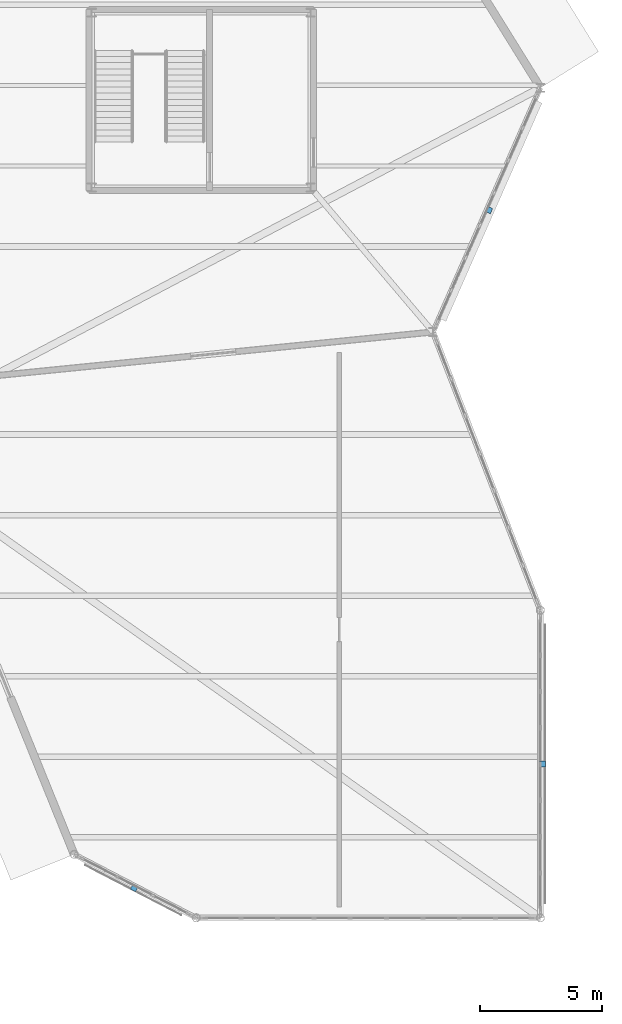
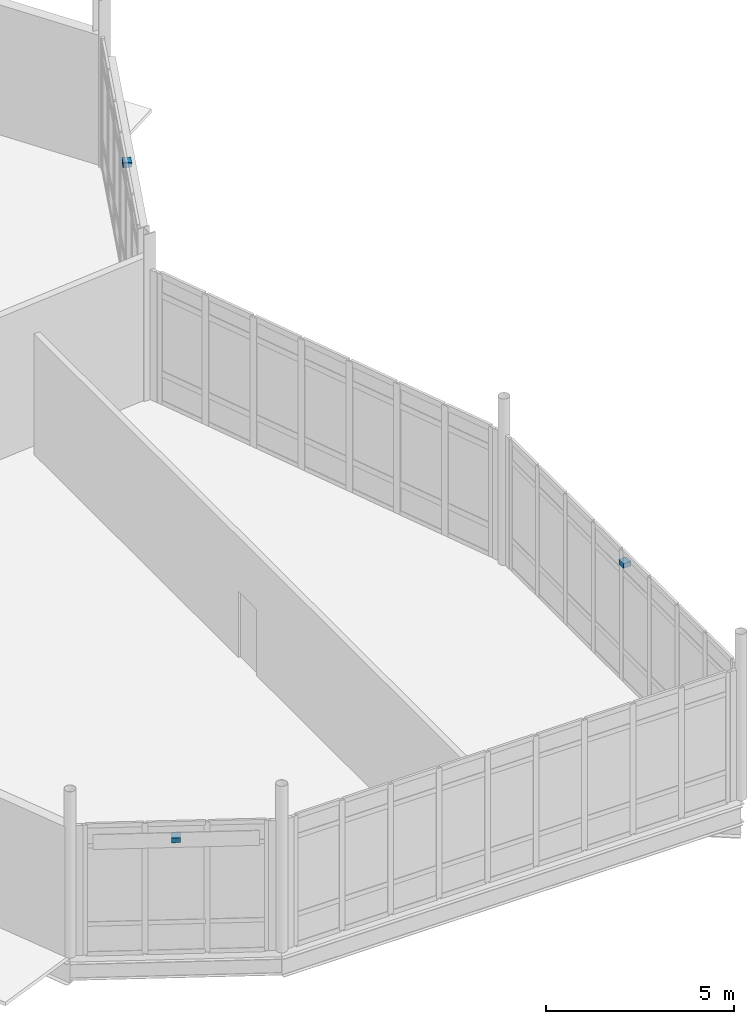
# One storey, part 107 of 113: 3 discrete accessories.
"""IFC4 building model written with IfcOpenShell, lengths in metres."""

from ifc_helpers import new_model, si_unit, direction, frame, origin, origin_2d, place, context, subcontext, project, spatial, rectangle, extrude, material, type_object, element, save


model = new_model("IFC4")

# Units and contexts
model_context = context("Model", 3, precision=1e-05, world=origin(), true_north=direction((0.0, 1.0)))
body_context = subcontext(model_context, "Body", "Model", "MODEL_VIEW")
ifc_project = project(units=[si_unit("LENGTHUNIT", "METRE"), si_unit("AREAUNIT", "SQUARE_METRE"), si_unit("VOLUMEUNIT", "CUBIC_METRE"), si_unit("PLANEANGLEUNIT", "RADIAN"), si_unit("MASSUNIT", "GRAM", prefix="KILO")], contexts=[model_context])

# Site, building, storey
site_placement = place(None, origin())
site = spatial("IfcSite", under=ifc_project, at=site_placement, CompositionType="ELEMENT")
building_placement = place(site_placement, origin())
building = spatial("IfcBuilding", under=site, at=building_placement, Name="Tameran Prism Museum", CompositionType="ELEMENT")
storey_placement = place(building_placement, origin())
storey = spatial("IfcBuildingStorey", under=building, at=storey_placement, Name="L00", CompositionType="ELEMENT", Elevation=0.0)

# Discrete accessories
ifc_material = material(Name="Galvanized Steel Grade 350 (350 MPa)", Category="steel")
discrete_accessory_type = type_object("IfcDiscreteAccessoryType", Name="DA-BRK-STL", PredefinedType="BRACKET", material=ifc_material)
for number, where, z_axis, x_axis, name in (
    (1, (149.762939453125, 1.22900390625, 3.68994140625), (0.0, 0.0, 1.0), (-0.887252482586, 0.461284112175, 0.0), "Facade Sunshade Bracket BK-010"),
    (2, (166.47998046875, 6.300048828125, 3.68994140625), (0.0, 0.0, 1.0), (0.0, -1.0, 0.0), "Facade Sunshade Bracket BK-011"),
    (3, (164.284912109375, 28.9951171875, 3.68994140625), (0.0, 0.0, 1.0), (-0.402746689859, -0.915311479119, 0.0), "Facade Sunshade Bracket BK-017"),
):
    element("IfcDiscreteAccessory", number, at=place(storey_placement, frame(where, z_axis=z_axis, x_axis=x_axis)), inside=storey, type_object=discrete_accessory_type, Name=name, PredefinedType="BRACKET", context=body_context, shape_type="SweptSolid", body=[
        extrude(rectangle(XDim=0.239990234375, YDim=0.239990234375, at=origin_2d()), origin(), (0.0, 0.0, 1.0), 0.159912109375),
    ])

save(model, "model.ifc")
